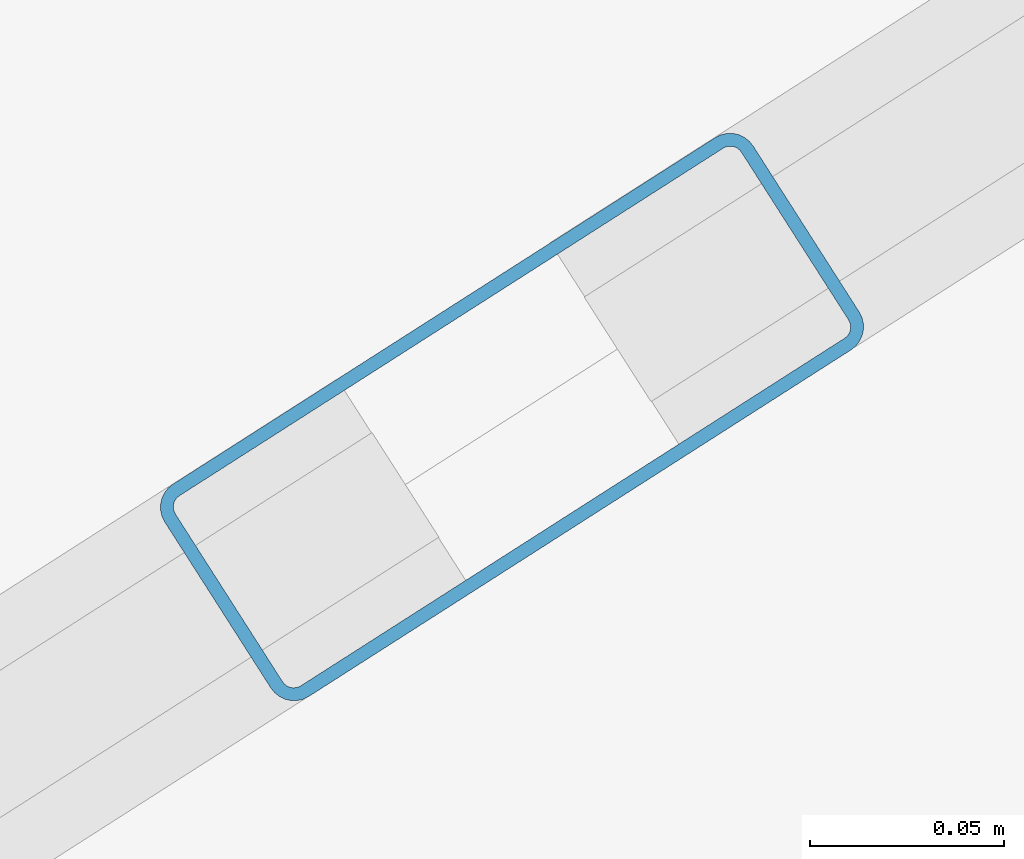
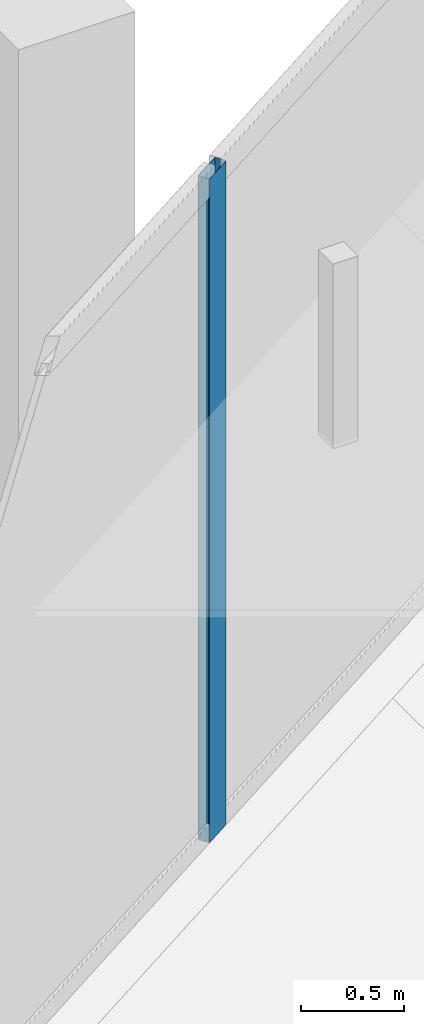
# One storey, part 18 of 52: 1 member, 1 element without a shape of its own.
"""IFC4 building model written with IfcOpenShell, lengths in metres."""

from ifc_helpers import new_model, si_unit, direction, frame, origin, origin_2d, place, context, subcontext, project, spatial, hollow_rectangle, extrude, material, layer, layer_set, material_profile, profile_set, type_object, element, aggregate, save


model = new_model("IFC4")

# Units and contexts
model_context = context("Model", 3, precision=1e-05, world=origin(), true_north=direction((0.0, 1.0)))
body_context = subcontext(model_context, "Body", "Model", "MODEL_VIEW")
ifc_project = project(units=[si_unit("LENGTHUNIT", "METRE"), si_unit("AREAUNIT", "SQUARE_METRE"), si_unit("VOLUMEUNIT", "CUBIC_METRE"), si_unit("PLANEANGLEUNIT", "RADIAN"), si_unit("MASSUNIT", "GRAM", prefix="KILO")], contexts=[model_context])

# Site, building, storey
site_placement = place(None, origin())
site = spatial("IfcSite", under=ifc_project, at=site_placement, CompositionType="ELEMENT")
building_placement = place(site_placement, origin())
building = spatial("IfcBuilding", under=site, at=building_placement, Name="Qorvath Tower", CompositionType="ELEMENT")
storey_placement = place(building_placement, frame((0.0, 0.0, 61.800048828125)))
storey = spatial("IfcBuildingStorey", under=building, at=storey_placement, Name="L13", CompositionType="ELEMENT", Elevation=61.800048828125)

# Curtain wall, member
ifc_material_1 = material(Name="Anodised aluminium and triple low-E glass", Category="aluminium")
ifc_layer = layer(ifc_material_1, 0.179931640625)
ifc_layer_set = layer_set([ifc_layer], Name="CW-SYS-2")
curtain_wall_type = type_object("IfcCurtainWallType", Name="CW-SYS-2", PredefinedType="NOTDEFINED", material=ifc_layer_set)
curtain_wall_placement = place(storey_placement, origin())
curtain_wall = element("IfcCurtainWall", 1, at=curtain_wall_placement, inside=storey, type_object=curtain_wall_type, Name="Curtain Wall CW-2 CW-T-L13-16.3", PredefinedType="NOTDEFINED")
ifc_material_2 = material(Name="Anodised aluminium 6063-T6", Category="aluminium")
ifc_material_profile = material_profile(ifc_material_2, hollow_rectangle(XDim=0.06494140625, YDim=0.179931640625, WallThickness=0.00341796875, InnerFilletRadius=0.00341796875, OuterFilletRadius=0.007080078125, at=origin_2d()), Name="CWM 180x65")
ifc_profile_set = profile_set([ifc_material_profile], Name="Anodised aluminium 6063-T6")
member_type = type_object("IfcMemberType", Name="CWM-180", PredefinedType="MULLION", material=ifc_profile_set)
member_placement = place(storey_placement, frame((-45.350341796875, 13.465087890625, 0.0), z_axis=(0.0, 0.0, 1.0), x_axis=(0.53852960651, -0.842606588458, 0.0)))
member = element("IfcMember", 2, at=member_placement, type_object=member_type, Name="CW-2 mullion 2", PredefinedType="MULLION", context=body_context, shape_type="SweptSolid", body=[
    extrude(hollow_rectangle(XDim=0.06494140625, YDim=0.179931640625, WallThickness=0.00341796875, InnerFilletRadius=0.00341796875, OuterFilletRadius=0.007080078125, at=origin_2d()), origin(), (0.0, 0.0, 1.0), 3.919921875),
])
aggregate(curtain_wall, [member])

save(model, "model.ifc")
